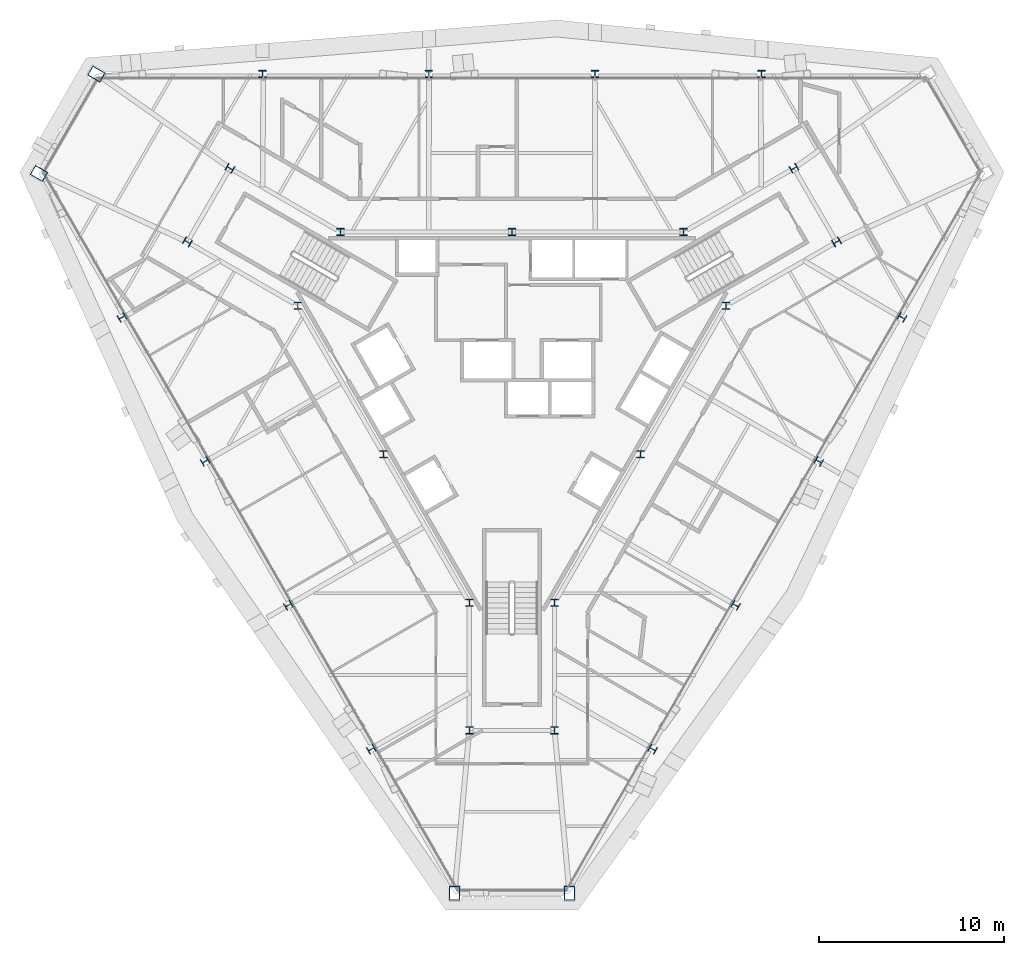
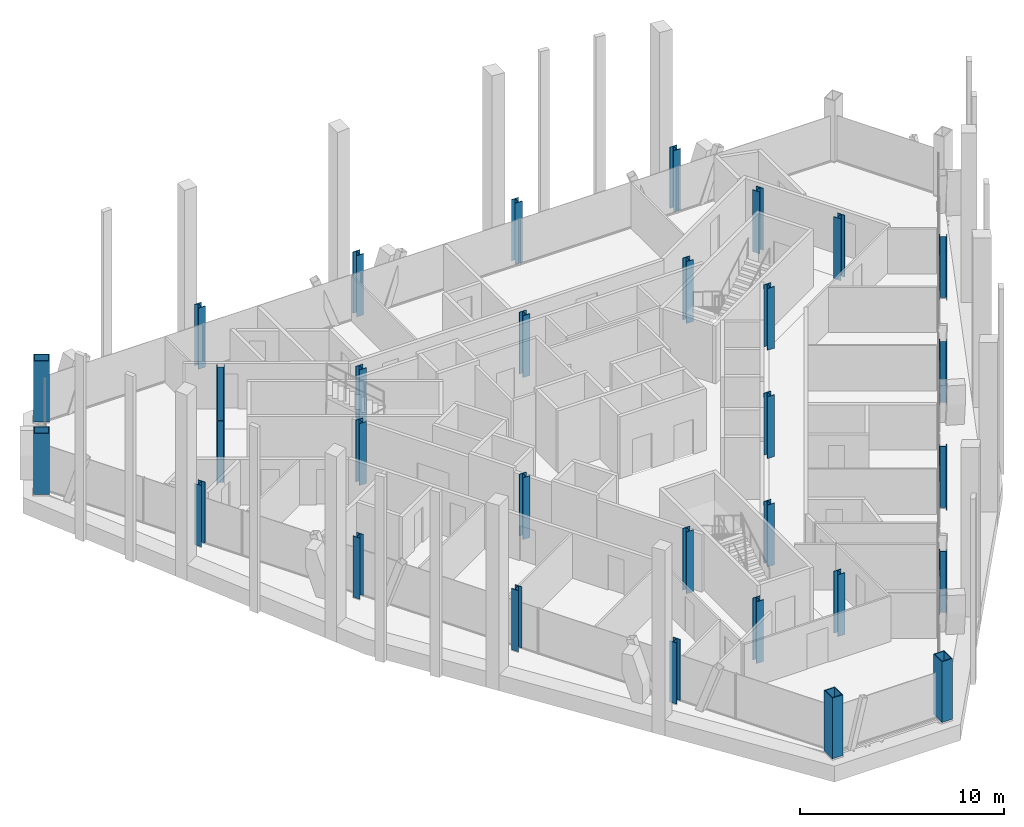
# One storey, part 1 of 16: 31 columns.
"""IFC4 building model written with IfcOpenShell, lengths in metres."""

from ifc_helpers import new_model, si_unit, direction, frame, origin, origin_2d, place, context, subcontext, project, spatial, hollow_rectangle, i_section, extrude, material, material_profile, profile_set, type_object, element, save


model = new_model("IFC4")

# Units and contexts
model_context = context("Model", 3, precision=1e-05, world=origin(), true_north=direction((0.0, 1.0)))
body_context = subcontext(model_context, "Body", "Model", "MODEL_VIEW")
ifc_project = project(units=[si_unit("LENGTHUNIT", "METRE"), si_unit("AREAUNIT", "SQUARE_METRE"), si_unit("VOLUMEUNIT", "CUBIC_METRE"), si_unit("PLANEANGLEUNIT", "RADIAN"), si_unit("MASSUNIT", "GRAM", prefix="KILO")], contexts=[model_context])

# Site, building, storey
site_placement = place(None, origin())
site = spatial("IfcSite", under=ifc_project, at=site_placement, CompositionType="ELEMENT")
building_placement = place(site_placement, origin())
building = spatial("IfcBuilding", under=site, at=building_placement, Name="Verrane Prism Tower", CompositionType="ELEMENT")
storey_placement = place(building_placement, frame((0.0, 0.0, 236.0)))
storey = spatial("IfcBuildingStorey", under=building, at=storey_placement, Name="L59", CompositionType="ELEMENT", Elevation=236.0)

# Columns
ifc_material_1 = material(Name="Steel A992", Category="steel")
ifc_material_profile_1 = material_profile(ifc_material_1, i_section(OverallWidth=0.4013671875, OverallDepth=0.398681640625, WebThickness=0.02490234375, FlangeThickness=0.03955078125, FilletRadius=0.01513671875, at=origin_2d()), Name="W14x211")
ifc_profile_set_1 = profile_set([ifc_material_profile_1], Name="Steel A992")
column_type_1 = type_object("IfcColumnType", Name="Core corner column W14x211", PredefinedType="COLUMN", material=ifc_profile_set_1)
for number, where, z_axis, x_axis, name in (
    (1, (17.52001953125, 7.4599609375, 0.0), (0.0, 0.0, 1.0), (0.5, -0.866025403784, 0.0), "Core corner column CK-NEm L59"),
    (2, (15.219970703125, 11.43994140625, 0.0), (0.0, 0.0, 1.0), (0.5, -0.866025403784, 0.0), "Core corner column CK-NEp L59"),
    (3, (-15.219970703125, 11.43994140625, 0.0), (0.0, 0.0, 1.0), (0.5, 0.866025403784, 0.0), "Core corner column CK-NWm L59"),
    (4, (-17.52001953125, 7.4599609375, 0.0), (0.0, 0.0, 1.0), (0.5, 0.866025403784, 0.0), "Core corner column CK-NWp L59"),
    (5, (-2.300048828125, -18.89990234375, 0.0), (0.0, 0.0, 1.0), (-1.0, 0.0, 0.0), "Core corner column CK-Sm L59"),
    (6, (2.300048828125, -18.89990234375, 0.0), (0.0, 0.0, 1.0), (-1.0, 0.0, 0.0), "Core corner column CK-Sp L59"),
):
    element("IfcColumn", number, at=place(storey_placement, frame(where, z_axis=z_axis, x_axis=x_axis)), inside=storey, type_object=column_type_1, Name=name, PredefinedType="COLUMN", context=body_context, shape_type="SweptSolid", body=[
        extrude(i_section(OverallWidth=0.4013671875, OverallDepth=0.398681640625, WebThickness=0.02490234375, FlangeThickness=0.03955078125, FilletRadius=0.01513671875, at=origin_2d()), origin(), (0.0, 0.0, 1.0), 3.699951171875),
    ])
ifc_material_2 = material(Name="Steel A992", Category="steel")
ifc_material_profile_2 = material_profile(ifc_material_2, i_section(OverallWidth=0.398681640625, OverallDepth=0.385986328125, WebThickness=0.02099609375, FlangeThickness=0.033203125, FilletRadius=0.01513671875, at=origin_2d()), Name="W14x176")
ifc_profile_set_2 = profile_set([ifc_material_profile_2], Name="Steel A992")
column_type_2 = type_object("IfcColumnType", Name="Core side column W14x176", PredefinedType="COLUMN", material=ifc_profile_set_2)
for number, where, z_axis, x_axis, name in (
    (7, (11.56005859375, 4.02001953125, 0.0), (0.0, 0.0, 1.0), (1.0, 0.0, 0.0), "Core side column CC-NEm L59"),
    (8, (9.260009765625, 8.0, 0.0), (0.0, 0.0, 1.0), (1.0, 0.0, 0.0), "Core side column CC-NEp L59"),
    (9, (0.0, 8.0, 0.0), (0.0, 0.0, 1.0), (1.0, 0.0, 0.0), "Core side column CC-N0 L59"),
    (10, (-9.260009765625, 8.0, 0.0), (0.0, 0.0, 1.0), (1.0, 0.0, 0.0), "Core side column CC-NWm L59"),
    (11, (-11.56005859375, 4.02001953125, 0.0), (0.0, 0.0, 1.0), (1.0, 0.0, 0.0), "Core side column CC-NWp L59"),
    (12, (-6.929931640625, -4.0, 0.0), (0.0, 0.0, 1.0), (1.0, 0.0, 0.0), "Core side column CC-SW0 L59"),
    (13, (-2.300048828125, -12.02001953125, 0.0), (0.0, 0.0, 1.0), (1.0, 0.0, 0.0), "Core side column CC-Sm L59"),
    (14, (2.300048828125, -12.02001953125, 0.0), (0.0, 0.0, 1.0), (1.0, 0.0, 0.0), "Core side column CC-Sp L59"),
    (15, (6.929931640625, -4.0, 0.0), (0.0, 0.0, 1.0), (1.0, 0.0, 0.0), "Core side column CC-SE0 L59"),
):
    element("IfcColumn", number, at=place(storey_placement, frame(where, z_axis=z_axis, x_axis=x_axis)), inside=storey, type_object=column_type_2, Name=name, PredefinedType="COLUMN", context=body_context, shape_type="SweptSolid", body=[
        extrude(i_section(OverallWidth=0.398681640625, OverallDepth=0.385986328125, WebThickness=0.02099609375, FlangeThickness=0.033203125, FilletRadius=0.01513671875, at=origin_2d()), origin(), (0.0, 0.0, 1.0), 3.699951171875),
    ])
ifc_material_3 = material(Name="Steel A572 Grade 50", Category="steel")
ifc_material_profile_3 = material_profile(ifc_material_3, hollow_rectangle(XDim=0.60009765625, YDim=0.800048828125, WallThickness=0.050048828125, at=origin_2d()), Name="BOX 800x600x50")
ifc_profile_set_3 = profile_set([ifc_material_profile_3], Name="Steel A572 Grade 50")
column_type_3 = type_object("IfcColumnType", Name="Megacolumn BOX 800x600x50", PredefinedType="COLUMN", material=ifc_profile_set_3)
for number, where, z_axis, x_axis, name in (
    (16, (-22.429931640625, 16.530029296875, 0.06494140625), (0.0, 0.0, 1.0), (0.5, 0.866025403784, 0.0), "Megacolumn MC-NW.a L59"),
    (17, (-25.530029296875, 11.159912109375, 0.06494140625), (0.0, 0.0, 1.0), (0.5, 0.866025403784, 0.0), "Megacolumn MC-NW.b L59"),
    (18, (-3.10009765625, -27.68994140625, 0.06494140625), (0.0, 0.0, 1.0), (-1.0, 0.0, 0.0), "Megacolumn MC-S.a L59"),
    (19, (3.10009765625, -27.68994140625, 0.06494140625), (0.0, 0.0, 1.0), (-1.0, 0.0, 0.0), "Megacolumn MC-S.b L59"),
):
    element("IfcColumn", number, at=place(storey_placement, frame(where, z_axis=z_axis, x_axis=x_axis)), inside=storey, type_object=column_type_3, Name=name, PredefinedType="COLUMN", context=body_context, shape_type="SweptSolid", body=[
        extrude(hollow_rectangle(XDim=0.60009765625, YDim=0.800048828125, WallThickness=0.050048828125, at=origin_2d()), origin(), (0.0, 0.0, 1.0), 3.635009765625),
    ])
ifc_material_4 = material(Name="Steel A992", Category="steel")
ifc_material_profile_4 = material_profile(ifc_material_4, i_section(OverallWidth=0.398681640625, OverallDepth=0.385986328125, WebThickness=0.02099609375, FlangeThickness=0.033203125, FilletRadius=0.01513671875, at=origin_2d()), Name="W14x176")
ifc_profile_set_4 = profile_set([ifc_material_profile_4], Name="Steel A992")
column_type_4 = type_object("IfcColumnType", Name="Perimeter column W14x176", PredefinedType="COLUMN", material=ifc_profile_set_4)
for number, where, z_axis, x_axis, name in (
    (20, (13.4599609375, 16.530029296875, 0.034912109375), (0.0, 0.0, 1.0), (1.0, 0.0, 0.0), "Perimeter column PC-N1 L59"),
    (21, (4.489990234375, 16.530029296875, 0.034912109375), (0.0, 0.0, 1.0), (1.0, 0.0, 0.0), "Perimeter column PC-N2 L59"),
    (22, (-4.489990234375, 16.530029296875, 0.034912109375), (0.0, 0.0, 1.0), (1.0, 0.0, 0.0), "Perimeter column PC-N3 L59"),
    (23, (-13.4599609375, 16.530029296875, 0.034912109375), (0.0, 0.0, 1.0), (1.0, 0.0, 0.0), "Perimeter column PC-N4 L59"),
):
    element("IfcColumn", number, at=place(storey_placement, frame(where, z_axis=z_axis, x_axis=x_axis)), inside=storey, type_object=column_type_4, Name=name, PredefinedType="COLUMN", context=body_context, shape_type="SweptSolid", body=[
        extrude(i_section(OverallWidth=0.398681640625, OverallDepth=0.385986328125, WebThickness=0.02099609375, FlangeThickness=0.033203125, FilletRadius=0.01513671875, at=origin_2d()), origin(), (0.0, 0.0, 1.0), 3.6650390625),
    ])
column_1_placement = place(storey_placement, frame((-21.050048828125, 3.389892578125, 0.0400390625), z_axis=(0.0, 0.0, 1.0), x_axis=(-0.5, 0.866025403784, 0.0)))
element("IfcColumn", 24, at=column_1_placement, inside=storey, type_object=column_type_4, Name="Perimeter column PC-SW1 L59", PredefinedType="COLUMN", context=body_context, shape_type="SweptSolid", body=[
    extrude(i_section(OverallWidth=0.398681640625, OverallDepth=0.385986328125, WebThickness=0.02099609375, FlangeThickness=0.033203125, FilletRadius=0.01513671875, at=origin_2d()), origin(), (0.0, 0.0, 1.0), 3.659912109375),
])
for number, where, z_axis, x_axis, name in (
    (25, (-16.56005859375, -4.3798828125, 0.034912109375), (0.0, 0.0, 1.0), (-0.5, 0.866025403784, 0.0), "Perimeter column PC-SW2 L59"),
    (26, (-12.070068359375, -12.14990234375, 0.034912109375), (0.0, 0.0, 1.0), (-0.5, 0.866025403784, 0.0), "Perimeter column PC-SW3 L59"),
    (27, (-7.590087890625, -19.919921875, 0.034912109375), (0.0, 0.0, 1.0), (-0.5, 0.866025403784, 0.0), "Perimeter column PC-SW4 L59"),
    (28, (7.590087890625, -19.919921875, 0.034912109375), (0.0, 0.0, 1.0), (-0.5, -0.866025403784, 0.0), "Perimeter column PC-SE1 L59"),
    (29, (12.070068359375, -12.14990234375, 0.034912109375), (0.0, 0.0, 1.0), (-0.5, -0.866025403784, 0.0), "Perimeter column PC-SE2 L59"),
    (30, (16.56005859375, -4.3798828125, 0.034912109375), (0.0, 0.0, 1.0), (-0.5, -0.866025403784, 0.0), "Perimeter column PC-SE3 L59"),
):
    element("IfcColumn", number, at=place(storey_placement, frame(where, z_axis=z_axis, x_axis=x_axis)), inside=storey, type_object=column_type_4, Name=name, PredefinedType="COLUMN", context=body_context, shape_type="SweptSolid", body=[
        extrude(i_section(OverallWidth=0.398681640625, OverallDepth=0.385986328125, WebThickness=0.02099609375, FlangeThickness=0.033203125, FilletRadius=0.01513671875, at=origin_2d()), origin(), (0.0, 0.0, 1.0), 3.6650390625),
    ])
column_2_placement = place(storey_placement, frame((21.050048828125, 3.389892578125, 0.0400390625), z_axis=(0.0, 0.0, 1.0), x_axis=(-0.5, -0.866025403784, 0.0)))
element("IfcColumn", 31, at=column_2_placement, inside=storey, type_object=column_type_4, Name="Perimeter column PC-SE4 L59", PredefinedType="COLUMN", context=body_context, shape_type="SweptSolid", body=[
    extrude(i_section(OverallWidth=0.398681640625, OverallDepth=0.385986328125, WebThickness=0.02099609375, FlangeThickness=0.033203125, FilletRadius=0.01513671875, at=origin_2d()), origin(), (0.0, 0.0, 1.0), 3.659912109375),
])

save(model, "model.ifc")
